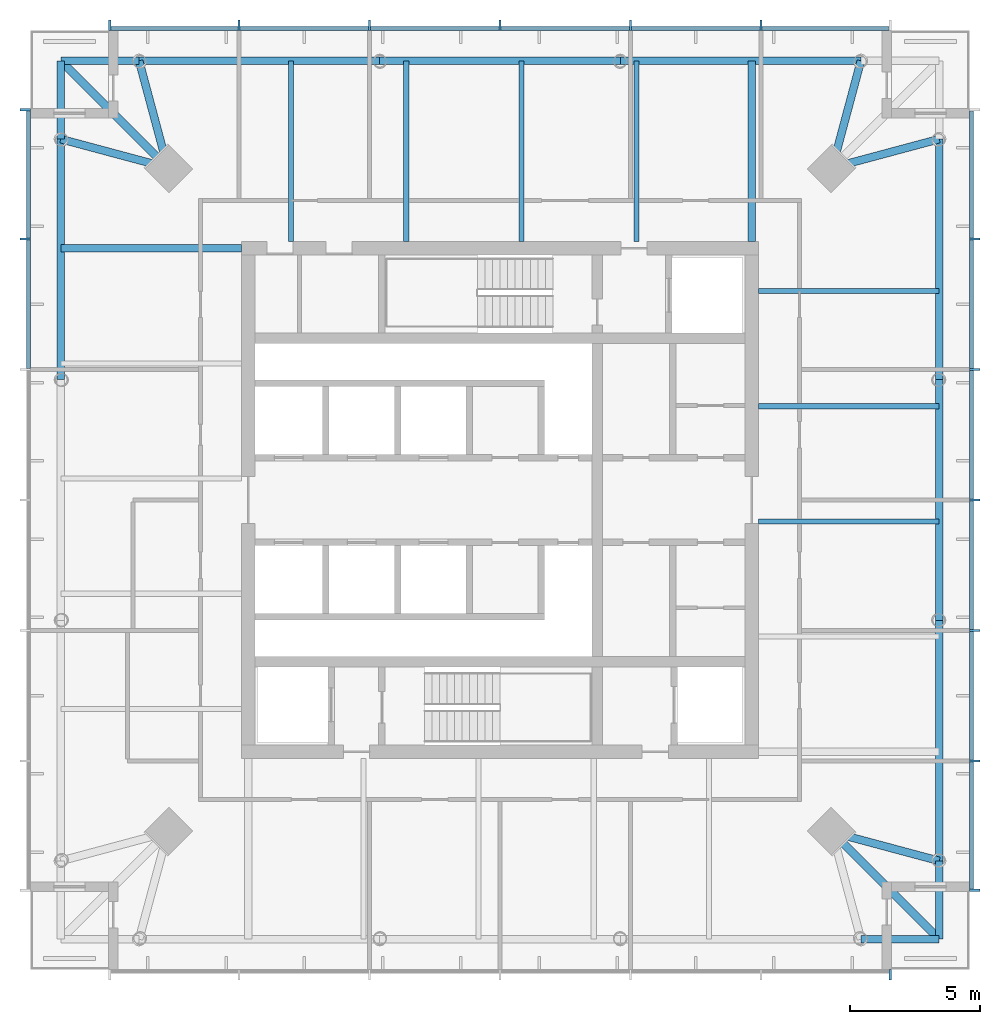
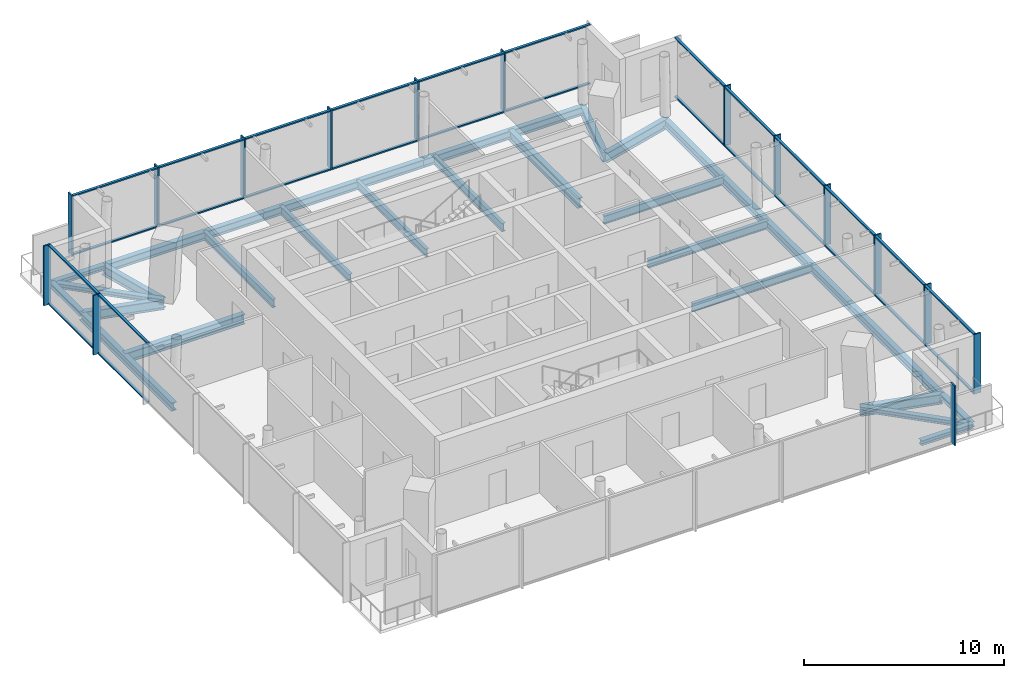
# One storey, part 2 of 7: 43 members, 27 beams, 4 elements without a shape of their own.
"""IFC4 building model written with IfcOpenShell, lengths in metres."""

from ifc_helpers import new_model, si_unit, direction, frame, origin, origin_2d, place, context, subcontext, project, spatial, rectangle, i_section, extrude, material, material_profile, profile_set, type_object, element, aggregate, save


model = new_model("IFC4")

# Units and contexts
model_context = context("Model", 3, precision=1e-05, world=origin(), true_north=direction((0.0, 1.0)))
body_context = subcontext(model_context, "Body", "Model", "MODEL_VIEW")
ifc_project = project(units=[si_unit("LENGTHUNIT", "METRE"), si_unit("AREAUNIT", "SQUARE_METRE"), si_unit("VOLUMEUNIT", "CUBIC_METRE"), si_unit("PLANEANGLEUNIT", "RADIAN"), si_unit("MASSUNIT", "GRAM", prefix="KILO")], contexts=[model_context])

# Site, building, storey
site_placement = place(None, origin())
site = spatial("IfcSite", under=ifc_project, at=site_placement, CompositionType="ELEMENT")
building_placement = place(site_placement, origin())
building = spatial("IfcBuilding", under=site, at=building_placement, Name="Ostroluk Exchange", CompositionType="ELEMENT")
storey_placement = place(building_placement, frame((0.0, 0.0, 245.199951171875)))
storey = spatial("IfcBuildingStorey", under=building, at=storey_placement, Name="L63", CompositionType="ELEMENT", Elevation=245.199951171875)

# Beams
ifc_material_1 = material(Name="Steel S355", Category="steel")
ifc_material_profile_1 = material_profile(ifc_material_1, i_section(OverallWidth=0.300048828125, OverallDepth=0.300048828125, WebThickness=0.010986328125, FlangeThickness=0.01904296875, FilletRadius=0.027099609375, at=origin_2d()), Name="HEB 300")
ifc_profile_set_1 = profile_set([ifc_material_profile_1], Name="Steel S355")
beam_type_1 = type_object("IfcBeamType", Name="Balcony beam HEB 300", PredefinedType="BEAM", material=ifc_profile_set_1)
for number, where, z_axis, x_axis, name in (
    (1, (31.164306640625, 62.835693359375, -0.329833984375), (-1.0, 0.0, 0.0), (0.0, -1.0, 0.0), "T1 north balcony beam a"),
    (2, (28.164306640625, 59.835693359375, -0.329833984375), (0.0, 1.0, 0.0), (-1.0, 0.0, 0.0), "T1 north balcony beam b"),
):
    element("IfcBeam", number, at=place(storey_placement, frame(where, z_axis=z_axis, x_axis=x_axis)), inside=storey, type_object=beam_type_1, Name=name, PredefinedType="BEAM", context=body_context, shape_type="SweptSolid", body=[
        extrude(i_section(OverallWidth=0.300048828125, OverallDepth=0.300048828125, WebThickness=0.010986328125, FlangeThickness=0.01904296875, FilletRadius=0.027099609375, at=origin_2d()), origin(), (0.0, 0.0, 1.0), 3.0),
    ])
beam_1_placement = place(storey_placement, frame((32.264404296875, 58.735595703125, -0.329833984375), z_axis=(-0.707106781187, 0.707106781187, 0.0), x_axis=(-0.707106781187, -0.707106781187, 0.0)))
element("IfcBeam", 3, at=beam_1_placement, inside=storey, type_object=beam_type_1, Name="T1 north balcony beam c", PredefinedType="BEAM", context=body_context, shape_type="SweptSolid", body=[
    extrude(i_section(OverallWidth=0.300048828125, OverallDepth=0.300048828125, WebThickness=0.010986328125, FlangeThickness=0.01904296875, FilletRadius=0.027099609375, at=origin_2d()), origin(), (0.0, 0.0, 1.0), 5.79833984375),
])
for number, where, z_axis, x_axis, name in (
    (4, (58.835693359375, 29.164306640625, -0.329833984375), (1.0, 0.0, 0.0), (0.0, 1.0, 0.0), "T1 south balcony beam a"),
    (5, (61.835693359375, 32.164306640625, -0.329833984375), (0.0, -1.0, 0.0), (1.0, 0.0, 0.0), "T1 south balcony beam b"),
):
    element("IfcBeam", number, at=place(storey_placement, frame(where, z_axis=z_axis, x_axis=x_axis)), inside=storey, type_object=beam_type_1, Name=name, PredefinedType="BEAM", context=body_context, shape_type="SweptSolid", body=[
        extrude(i_section(OverallWidth=0.300048828125, OverallDepth=0.300048828125, WebThickness=0.010986328125, FlangeThickness=0.01904296875, FilletRadius=0.027099609375, at=origin_2d()), origin(), (0.0, 0.0, 1.0), 3.0),
    ])
beam_2_placement = place(storey_placement, frame((57.735595703125, 33.264404296875, -0.329833984375), z_axis=(0.707106781187, -0.707106781187, 0.0), x_axis=(0.707106781187, 0.707106781187, 0.0)))
element("IfcBeam", 6, at=beam_2_placement, inside=storey, type_object=beam_type_1, Name="T1 south balcony beam c", PredefinedType="BEAM", context=body_context, shape_type="SweptSolid", body=[
    extrude(i_section(OverallWidth=0.300048828125, OverallDepth=0.300048828125, WebThickness=0.010986328125, FlangeThickness=0.01904296875, FilletRadius=0.027099609375, at=origin_2d()), origin(), (0.0, 0.0, 1.0), 5.79833984375),
])
ifc_material_2 = material(Name="Steel S355", Category="steel")
ifc_material_profile_2 = material_profile(ifc_material_2, i_section(OverallWidth=0.300048828125, OverallDepth=0.60009765625, WebThickness=0.015380859375, FlangeThickness=0.030029296875, FilletRadius=0.027099609375, at=origin_2d()), Name="HEB 600")
ifc_profile_set_2 = profile_set([ifc_material_profile_2], Name="Steel S355")
beam_type_2 = type_object("IfcBeamType", Name="Corner edge beam HEB 600", PredefinedType="SPANDREL", material=ifc_profile_set_2)
for number, where, z_axis, x_axis, name in (
    (7, (57.735595703125, 58.735595703125, -0.47998046875), (0.965838624319, 0.259144268261, 0.0), (-0.259144268261, 0.965838624319, 0.0), "T1 east corner edge beam a"),
    (8, (57.735595703125, 58.735595703125, -0.47998046875), (0.259144268261, 0.965838624319, 0.0), (-0.965838624319, 0.259144268261, 0.0), "T1 east corner edge beam b"),
    (9, (32.264404296875, 58.735595703125, -0.47998046875), (-0.259144268261, 0.965838624319, 0.0), (-0.965838624319, -0.259144268261, 0.0), "T1 north corner edge beam a"),
    (10, (32.264404296875, 58.735595703125, -0.47998046875), (-0.965838624319, 0.259144268261, 0.0), (-0.259144268261, -0.965838624319, 0.0), "T1 north corner edge beam b"),
    (11, (57.735595703125, 33.264404296875, -0.47998046875), (0.965838624319, -0.259144268261, 0.0), (0.259144268261, 0.965838624319, 0.0), "T1 south corner edge beam b"),
):
    element("IfcBeam", number, at=place(storey_placement, frame(where, z_axis=z_axis, x_axis=x_axis)), inside=storey, type_object=beam_type_2, Name=name, PredefinedType="SPANDREL", context=body_context, shape_type="SweptSolid", body=[
        extrude(i_section(OverallWidth=0.300048828125, OverallDepth=0.60009765625, WebThickness=0.015380859375, FlangeThickness=0.030029296875, FilletRadius=0.027099609375, at=origin_2d()), origin(), (0.0, 0.0, 1.0), 4.2451171875),
    ])
ifc_material_3 = material(Name="Steel S355", Category="steel")
ifc_material_profile_3 = material_profile(ifc_material_3, i_section(OverallWidth=0.199951171875, OverallDepth=0.5, WebThickness=0.01025390625, FlangeThickness=0.01611328125, FilletRadius=0.02099609375, at=origin_2d()), Name="IPE 500")
ifc_profile_set_3 = profile_set([ifc_material_profile_3], Name="Steel S355")
beam_type_3 = type_object("IfcBeamType", Name="Floor beam IPE 500", PredefinedType="BEAM", material=ifc_profile_set_3)
for number, where, z_axis, x_axis, name in (
    (12, (54.89990234375, 45.178466796875, -0.429931640625), (1.0, 0.0, 0.0), (0.0, 1.0, 0.0), "T1 east floor beam 2"),
    (13, (54.89990234375, 49.5927734375, -0.429931640625), (1.0, 0.0, 0.0), (0.0, 1.0, 0.0), "T1 east floor beam 3"),
    (14, (54.89990234375, 54.007080078125, -0.429931640625), (1.0, 0.0, 0.0), (0.0, 1.0, 0.0), "T1 east floor beam 4"),
    (15, (50.235595703125, 55.89990234375, -0.429931640625), (0.0, 1.0, 0.0), (-1.0, 0.0, 0.0), "T1 north floor beam 1"),
    (16, (45.821533203125, 55.89990234375, -0.429931640625), (0.0, 1.0, 0.0), (-1.0, 0.0, 0.0), "T1 north floor beam 2"),
    (17, (41.4072265625, 55.89990234375, -0.429931640625), (0.0, 1.0, 0.0), (-1.0, 0.0, 0.0), "T1 north floor beam 3"),
    (18, (36.992919921875, 55.89990234375, -0.429931640625), (0.0, 1.0, 0.0), (-1.0, 0.0, 0.0), "T1 north floor beam 4"),
):
    element("IfcBeam", number, at=place(storey_placement, frame(where, z_axis=z_axis, x_axis=x_axis)), inside=storey, type_object=beam_type_3, Name=name, PredefinedType="BEAM", context=body_context, shape_type="SweptSolid", body=[
        extrude(i_section(OverallWidth=0.199951171875, OverallDepth=0.5, WebThickness=0.01025390625, FlangeThickness=0.01611328125, FilletRadius=0.02099609375, at=origin_2d()), origin(), (0.0, 0.0, 1.0), 6.935791015625),
    ])
ifc_material_4 = material(Name="Steel S355", Category="steel")
ifc_material_profile_4 = material_profile(ifc_material_4, i_section(OverallWidth=0.300048828125, OverallDepth=0.60009765625, WebThickness=0.015380859375, FlangeThickness=0.030029296875, FilletRadius=0.027099609375, at=origin_2d()), Name="HEB 600")
ifc_profile_set_4 = profile_set([ifc_material_profile_4], Name="Steel S355")
beam_type_4 = type_object("IfcBeamType", Name="Girder HEB 600", PredefinedType="BEAM", material=ifc_profile_set_4)
for number, where, z_axis, x_axis, name in (
    (19, (54.64990234375, 55.89990234375, -0.47998046875), (0.0, 1.0, 0.0), (-1.0, 0.0, 0.0), "T1 east girder"),
    (20, (35.10009765625, 55.64990234375, -0.47998046875), (-1.0, 0.0, 0.0), (0.0, -1.0, 0.0), "T1 north girder"),
):
    element("IfcBeam", number, at=place(storey_placement, frame(where, z_axis=z_axis, x_axis=x_axis)), inside=storey, type_object=beam_type_4, Name=name, PredefinedType="BEAM", context=body_context, shape_type="SweptSolid", body=[
        extrude(i_section(OverallWidth=0.300048828125, OverallDepth=0.60009765625, WebThickness=0.015380859375, FlangeThickness=0.030029296875, FilletRadius=0.027099609375, at=origin_2d()), origin(), (0.0, 0.0, 1.0), 6.935791015625),
    ])
ifc_material_5 = material(Name="Steel S355", Category="steel")
ifc_material_profile_5 = material_profile(ifc_material_5, i_section(OverallWidth=0.300048828125, OverallDepth=0.5, WebThickness=0.014404296875, FlangeThickness=0.028076171875, FilletRadius=0.027099609375, at=origin_2d()), Name="HEB 500")
ifc_profile_set_5 = profile_set([ifc_material_profile_5], Name="Steel S355")
beam_type_5 = type_object("IfcBeamType", Name="Moment-connected edge beam HEB 500", PredefinedType="SPANDREL", material=ifc_profile_set_5)
beam_3_placement = place(storey_placement, frame((61.835693359375, 32.164306640625, -0.429931640625), z_axis=(0.0, 1.0, 0.0), x_axis=(-1.0, 0.0, 0.0)))
element("IfcBeam", 21, at=beam_3_placement, inside=storey, type_object=beam_type_5, Name="T1 east edge beam 1", PredefinedType="SPANDREL", context=body_context, shape_type="SweptSolid", body=[
    extrude(i_section(OverallWidth=0.300048828125, OverallDepth=0.5, WebThickness=0.014404296875, FlangeThickness=0.028076171875, FilletRadius=0.027099609375, at=origin_2d()), origin(), (0.0, 0.0, 1.0), 9.223876953125),
])
beam_4_placement = place(storey_placement, frame((61.835693359375, 41.38818359375, -0.429931640625), z_axis=(0.0, 1.0, 0.0), x_axis=(-1.0, 0.0, 0.0)))
element("IfcBeam", 22, at=beam_4_placement, inside=storey, type_object=beam_type_5, Name="T1 east edge beam 2", PredefinedType="SPANDREL", context=body_context, shape_type="SweptSolid", body=[
    extrude(i_section(OverallWidth=0.300048828125, OverallDepth=0.5, WebThickness=0.014404296875, FlangeThickness=0.028076171875, FilletRadius=0.027099609375, at=origin_2d()), origin(), (0.0, 0.0, 1.0), 9.2236328125),
])
for number, where, z_axis, x_axis, name in (
    (23, (61.835693359375, 50.61181640625, -0.429931640625), (0.0, 1.0, 0.0), (-1.0, 0.0, 0.0), "T1 east edge beam 3"),
    (24, (58.835693359375, 62.835693359375, -0.429931640625), (-1.0, 0.0, 0.0), (0.0, -1.0, 0.0), "T1 north edge beam 1"),
):
    element("IfcBeam", number, at=place(storey_placement, frame(where, z_axis=z_axis, x_axis=x_axis)), inside=storey, type_object=beam_type_5, Name=name, PredefinedType="SPANDREL", context=body_context, shape_type="SweptSolid", body=[
        extrude(i_section(OverallWidth=0.300048828125, OverallDepth=0.5, WebThickness=0.014404296875, FlangeThickness=0.028076171875, FilletRadius=0.027099609375, at=origin_2d()), origin(), (0.0, 0.0, 1.0), 9.223876953125),
    ])
beam_5_placement = place(storey_placement, frame((49.61181640625, 62.835693359375, -0.429931640625), z_axis=(-1.0, 0.0, 0.0), x_axis=(0.0, -1.0, 0.0)))
element("IfcBeam", 25, at=beam_5_placement, inside=storey, type_object=beam_type_5, Name="T1 north edge beam 2", PredefinedType="SPANDREL", context=body_context, shape_type="SweptSolid", body=[
    extrude(i_section(OverallWidth=0.300048828125, OverallDepth=0.5, WebThickness=0.014404296875, FlangeThickness=0.028076171875, FilletRadius=0.027099609375, at=origin_2d()), origin(), (0.0, 0.0, 1.0), 9.2236328125),
])
for number, where, z_axis, x_axis, name in (
    (26, (40.38818359375, 62.835693359375, -0.429931640625), (-1.0, 0.0, 0.0), (0.0, -1.0, 0.0), "T1 north edge beam 3"),
    (27, (28.164306640625, 59.835693359375, -0.429931640625), (0.0, -1.0, 0.0), (1.0, 0.0, 0.0), "T1 west edge beam 1"),
):
    element("IfcBeam", number, at=place(storey_placement, frame(where, z_axis=z_axis, x_axis=x_axis)), inside=storey, type_object=beam_type_5, Name=name, PredefinedType="SPANDREL", context=body_context, shape_type="SweptSolid", body=[
        extrude(i_section(OverallWidth=0.300048828125, OverallDepth=0.5, WebThickness=0.014404296875, FlangeThickness=0.028076171875, FilletRadius=0.027099609375, at=origin_2d()), origin(), (0.0, 0.0, 1.0), 9.223876953125),
    ])

# Curtain wall, members
ifc_material_6 = material(Name="Laminated clear glass", Category="glass")
curtain_wall_type = type_object("IfcCurtainWallType", Name="Office tower facade", PredefinedType="USERDEFINED", material=ifc_material_6)
curtain_wall_1_placement = place(storey_placement, origin())
curtain_wall_1 = element("IfcCurtainWall", 28, at=curtain_wall_1_placement, inside=storey, type_object=curtain_wall_type, Name="Office tower east facade L63", ObjectType="UNITISED CURTAIN WALL", PredefinedType="USERDEFINED")
ifc_material_7 = material(Name="Aluminium mullion", Category="aluminium")
ifc_material_profile_6 = material_profile(ifc_material_7, rectangle(XDim=0.14990234375, YDim=0.080078125, at=origin_2d()), Name="Sill transom 80 x 150")
ifc_profile_set_6 = profile_set([ifc_material_profile_6], Name="Aluminium mullion")
member_type_1 = type_object("IfcMemberType", Name="Sill transom 80 x 150", PredefinedType="USERDEFINED", material=ifc_profile_set_6)
member_1_placement = place(storey_placement, frame((63.074951171875, 31.080078125, 0.0400390625), z_axis=(0.0, 1.0, 0.0), x_axis=(-1.0, 0.0, 0.0)))
member_1 = element("IfcMember", 29, at=member_1_placement, type_object=member_type_1, Name="CW-O1 transom 1.1", ObjectType="TRANSOM", PredefinedType="USERDEFINED", context=body_context, shape_type="SweptSolid", body=[
    extrude(rectangle(XDim=0.14990234375, YDim=0.080078125, at=origin_2d()), origin(), (0.0, 0.0, 1.0), 4.8798828125),
])
member_2_placement = place(storey_placement, frame((63.074951171875, 31.080078125, 3.610107421875), z_axis=(0.0, 1.0, 0.0), x_axis=(-1.0, 0.0, 0.0)))
member_2 = element("IfcMember", 30, at=member_2_placement, type_object=member_type_1, Name="CW-O1 transom 1.2", ObjectType="TRANSOM", PredefinedType="USERDEFINED", context=body_context, shape_type="SweptSolid", body=[
    extrude(rectangle(XDim=0.14990234375, YDim=0.080078125, at=origin_2d()), origin(), (0.0, 0.0, 1.0), 4.8798828125),
])
member_3_placement = place(storey_placement, frame((63.074951171875, 36.0400390625, 0.0400390625), z_axis=(0.0, 1.0, 0.0), x_axis=(-1.0, 0.0, 0.0)))
member_3 = element("IfcMember", 31, at=member_3_placement, type_object=member_type_1, Name="CW-O1 transom 2.1", ObjectType="TRANSOM", PredefinedType="USERDEFINED", context=body_context, shape_type="SweptSolid", body=[
    extrude(rectangle(XDim=0.14990234375, YDim=0.080078125, at=origin_2d()), origin(), (0.0, 0.0, 1.0), 4.919921875),
])
member_4_placement = place(storey_placement, frame((63.074951171875, 36.0400390625, 3.610107421875), z_axis=(0.0, 1.0, 0.0), x_axis=(-1.0, 0.0, 0.0)))
member_4 = element("IfcMember", 32, at=member_4_placement, type_object=member_type_1, Name="CW-O1 transom 2.2", ObjectType="TRANSOM", PredefinedType="USERDEFINED", context=body_context, shape_type="SweptSolid", body=[
    extrude(rectangle(XDim=0.14990234375, YDim=0.080078125, at=origin_2d()), origin(), (0.0, 0.0, 1.0), 4.919921875),
])
member_5_placement = place(storey_placement, frame((63.074951171875, 41.0400390625, 0.0400390625), z_axis=(0.0, 1.0, 0.0), x_axis=(-1.0, 0.0, 0.0)))
member_5 = element("IfcMember", 33, at=member_5_placement, type_object=member_type_1, Name="CW-O1 transom 3.1", ObjectType="TRANSOM", PredefinedType="USERDEFINED", context=body_context, shape_type="SweptSolid", body=[
    extrude(rectangle(XDim=0.14990234375, YDim=0.080078125, at=origin_2d()), origin(), (0.0, 0.0, 1.0), 4.919921875),
])
member_6_placement = place(storey_placement, frame((63.074951171875, 41.0400390625, 3.610107421875), z_axis=(0.0, 1.0, 0.0), x_axis=(-1.0, 0.0, 0.0)))
member_6 = element("IfcMember", 34, at=member_6_placement, type_object=member_type_1, Name="CW-O1 transom 3.2", ObjectType="TRANSOM", PredefinedType="USERDEFINED", context=body_context, shape_type="SweptSolid", body=[
    extrude(rectangle(XDim=0.14990234375, YDim=0.080078125, at=origin_2d()), origin(), (0.0, 0.0, 1.0), 4.919921875),
])
member_7_placement = place(storey_placement, frame((63.074951171875, 46.0400390625, 0.0400390625), z_axis=(0.0, 1.0, 0.0), x_axis=(-1.0, 0.0, 0.0)))
member_7 = element("IfcMember", 35, at=member_7_placement, type_object=member_type_1, Name="CW-O1 transom 4.1", ObjectType="TRANSOM", PredefinedType="USERDEFINED", context=body_context, shape_type="SweptSolid", body=[
    extrude(rectangle(XDim=0.14990234375, YDim=0.080078125, at=origin_2d()), origin(), (0.0, 0.0, 1.0), 4.919921875),
])
member_8_placement = place(storey_placement, frame((63.074951171875, 46.0400390625, 3.610107421875), z_axis=(0.0, 1.0, 0.0), x_axis=(-1.0, 0.0, 0.0)))
member_8 = element("IfcMember", 36, at=member_8_placement, type_object=member_type_1, Name="CW-O1 transom 4.2", ObjectType="TRANSOM", PredefinedType="USERDEFINED", context=body_context, shape_type="SweptSolid", body=[
    extrude(rectangle(XDim=0.14990234375, YDim=0.080078125, at=origin_2d()), origin(), (0.0, 0.0, 1.0), 4.919921875),
])
member_9_placement = place(storey_placement, frame((63.074951171875, 51.0400390625, 0.0400390625), z_axis=(0.0, 1.0, 0.0), x_axis=(-1.0, 0.0, 0.0)))
member_9 = element("IfcMember", 37, at=member_9_placement, type_object=member_type_1, Name="CW-O1 transom 5.1", ObjectType="TRANSOM", PredefinedType="USERDEFINED", context=body_context, shape_type="SweptSolid", body=[
    extrude(rectangle(XDim=0.14990234375, YDim=0.080078125, at=origin_2d()), origin(), (0.0, 0.0, 1.0), 4.919921875),
])
member_10_placement = place(storey_placement, frame((63.074951171875, 51.0400390625, 3.610107421875), z_axis=(0.0, 1.0, 0.0), x_axis=(-1.0, 0.0, 0.0)))
member_10 = element("IfcMember", 38, at=member_10_placement, type_object=member_type_1, Name="CW-O1 transom 5.2", ObjectType="TRANSOM", PredefinedType="USERDEFINED", context=body_context, shape_type="SweptSolid", body=[
    extrude(rectangle(XDim=0.14990234375, YDim=0.080078125, at=origin_2d()), origin(), (0.0, 0.0, 1.0), 4.919921875),
])
member_11_placement = place(storey_placement, frame((63.074951171875, 56.0400390625, 0.0400390625), z_axis=(0.0, 1.0, 0.0), x_axis=(-1.0, 0.0, 0.0)))
member_11 = element("IfcMember", 39, at=member_11_placement, type_object=member_type_1, Name="CW-O1 transom 6.1", ObjectType="TRANSOM", PredefinedType="USERDEFINED", context=body_context, shape_type="SweptSolid", body=[
    extrude(rectangle(XDim=0.14990234375, YDim=0.080078125, at=origin_2d()), origin(), (0.0, 0.0, 1.0), 4.8798828125),
])
member_12_placement = place(storey_placement, frame((63.074951171875, 56.0400390625, 3.610107421875), z_axis=(0.0, 1.0, 0.0), x_axis=(-1.0, 0.0, 0.0)))
member_12 = element("IfcMember", 40, at=member_12_placement, type_object=member_type_1, Name="CW-O1 transom 6.2", ObjectType="TRANSOM", PredefinedType="USERDEFINED", context=body_context, shape_type="SweptSolid", body=[
    extrude(rectangle(XDim=0.14990234375, YDim=0.080078125, at=origin_2d()), origin(), (0.0, 0.0, 1.0), 4.8798828125),
])

curtain_wall_2_placement = place(storey_placement, origin())
curtain_wall_2 = element("IfcCurtainWall", 41, at=curtain_wall_2_placement, inside=storey, type_object=curtain_wall_type, Name="Office tower north facade L63", ObjectType="UNITISED CURTAIN WALL", PredefinedType="USERDEFINED")
member_13_placement = place(storey_placement, frame((59.919921875, 64.074951171875, 0.0400390625), z_axis=(-1.0, 0.0, 0.0), x_axis=(0.0, -1.0, 0.0)))
member_13 = element("IfcMember", 42, at=member_13_placement, type_object=member_type_1, Name="CW-O1 transom 1.1", ObjectType="TRANSOM", PredefinedType="USERDEFINED", context=body_context, shape_type="SweptSolid", body=[
    extrude(rectangle(XDim=0.14990234375, YDim=0.080078125, at=origin_2d()), origin(), (0.0, 0.0, 1.0), 4.8798828125),
])
member_14_placement = place(storey_placement, frame((59.919921875, 64.074951171875, 3.610107421875), z_axis=(-1.0, 0.0, 0.0), x_axis=(0.0, -1.0, 0.0)))
member_14 = element("IfcMember", 43, at=member_14_placement, type_object=member_type_1, Name="CW-O1 transom 1.2", ObjectType="TRANSOM", PredefinedType="USERDEFINED", context=body_context, shape_type="SweptSolid", body=[
    extrude(rectangle(XDim=0.14990234375, YDim=0.080078125, at=origin_2d()), origin(), (0.0, 0.0, 1.0), 4.8798828125),
])
member_15_placement = place(storey_placement, frame((54.9599609375, 64.074951171875, 0.0400390625), z_axis=(-1.0, 0.0, 0.0), x_axis=(0.0, -1.0, 0.0)))
member_15 = element("IfcMember", 44, at=member_15_placement, type_object=member_type_1, Name="CW-O1 transom 2.1", ObjectType="TRANSOM", PredefinedType="USERDEFINED", context=body_context, shape_type="SweptSolid", body=[
    extrude(rectangle(XDim=0.14990234375, YDim=0.080078125, at=origin_2d()), origin(), (0.0, 0.0, 1.0), 4.919921875),
])
member_16_placement = place(storey_placement, frame((54.9599609375, 64.074951171875, 3.610107421875), z_axis=(-1.0, 0.0, 0.0), x_axis=(0.0, -1.0, 0.0)))
member_16 = element("IfcMember", 45, at=member_16_placement, type_object=member_type_1, Name="CW-O1 transom 2.2", ObjectType="TRANSOM", PredefinedType="USERDEFINED", context=body_context, shape_type="SweptSolid", body=[
    extrude(rectangle(XDim=0.14990234375, YDim=0.080078125, at=origin_2d()), origin(), (0.0, 0.0, 1.0), 4.919921875),
])
member_17_placement = place(storey_placement, frame((49.9599609375, 64.074951171875, 0.0400390625), z_axis=(-1.0, 0.0, 0.0), x_axis=(0.0, -1.0, 0.0)))
member_17 = element("IfcMember", 46, at=member_17_placement, type_object=member_type_1, Name="CW-O1 transom 3.1", ObjectType="TRANSOM", PredefinedType="USERDEFINED", context=body_context, shape_type="SweptSolid", body=[
    extrude(rectangle(XDim=0.14990234375, YDim=0.080078125, at=origin_2d()), origin(), (0.0, 0.0, 1.0), 4.919921875),
])
member_18_placement = place(storey_placement, frame((49.9599609375, 64.074951171875, 3.610107421875), z_axis=(-1.0, 0.0, 0.0), x_axis=(0.0, -1.0, 0.0)))
member_18 = element("IfcMember", 47, at=member_18_placement, type_object=member_type_1, Name="CW-O1 transom 3.2", ObjectType="TRANSOM", PredefinedType="USERDEFINED", context=body_context, shape_type="SweptSolid", body=[
    extrude(rectangle(XDim=0.14990234375, YDim=0.080078125, at=origin_2d()), origin(), (0.0, 0.0, 1.0), 4.919921875),
])
member_19_placement = place(storey_placement, frame((44.9599609375, 64.074951171875, 0.0400390625), z_axis=(-1.0, 0.0, 0.0), x_axis=(0.0, -1.0, 0.0)))
member_19 = element("IfcMember", 48, at=member_19_placement, type_object=member_type_1, Name="CW-O1 transom 4.1", ObjectType="TRANSOM", PredefinedType="USERDEFINED", context=body_context, shape_type="SweptSolid", body=[
    extrude(rectangle(XDim=0.14990234375, YDim=0.080078125, at=origin_2d()), origin(), (0.0, 0.0, 1.0), 4.919921875),
])
member_20_placement = place(storey_placement, frame((44.9599609375, 64.074951171875, 3.610107421875), z_axis=(-1.0, 0.0, 0.0), x_axis=(0.0, -1.0, 0.0)))
member_20 = element("IfcMember", 49, at=member_20_placement, type_object=member_type_1, Name="CW-O1 transom 4.2", ObjectType="TRANSOM", PredefinedType="USERDEFINED", context=body_context, shape_type="SweptSolid", body=[
    extrude(rectangle(XDim=0.14990234375, YDim=0.080078125, at=origin_2d()), origin(), (0.0, 0.0, 1.0), 4.919921875),
])
member_21_placement = place(storey_placement, frame((39.9599609375, 64.074951171875, 0.0400390625), z_axis=(-1.0, 0.0, 0.0), x_axis=(0.0, -1.0, 0.0)))
member_21 = element("IfcMember", 50, at=member_21_placement, type_object=member_type_1, Name="CW-O1 transom 5.1", ObjectType="TRANSOM", PredefinedType="USERDEFINED", context=body_context, shape_type="SweptSolid", body=[
    extrude(rectangle(XDim=0.14990234375, YDim=0.080078125, at=origin_2d()), origin(), (0.0, 0.0, 1.0), 4.919921875),
])
member_22_placement = place(storey_placement, frame((39.9599609375, 64.074951171875, 3.610107421875), z_axis=(-1.0, 0.0, 0.0), x_axis=(0.0, -1.0, 0.0)))
member_22 = element("IfcMember", 51, at=member_22_placement, type_object=member_type_1, Name="CW-O1 transom 5.2", ObjectType="TRANSOM", PredefinedType="USERDEFINED", context=body_context, shape_type="SweptSolid", body=[
    extrude(rectangle(XDim=0.14990234375, YDim=0.080078125, at=origin_2d()), origin(), (0.0, 0.0, 1.0), 4.919921875),
])
member_23_placement = place(storey_placement, frame((34.9599609375, 64.074951171875, 0.0400390625), z_axis=(-1.0, 0.0, 0.0), x_axis=(0.0, -1.0, 0.0)))
member_23 = element("IfcMember", 52, at=member_23_placement, type_object=member_type_1, Name="CW-O1 transom 6.1", ObjectType="TRANSOM", PredefinedType="USERDEFINED", context=body_context, shape_type="SweptSolid", body=[
    extrude(rectangle(XDim=0.14990234375, YDim=0.080078125, at=origin_2d()), origin(), (0.0, 0.0, 1.0), 4.8798828125),
])
member_24_placement = place(storey_placement, frame((34.9599609375, 64.074951171875, 3.610107421875), z_axis=(-1.0, 0.0, 0.0), x_axis=(0.0, -1.0, 0.0)))
member_24 = element("IfcMember", 53, at=member_24_placement, type_object=member_type_1, Name="CW-O1 transom 6.2", ObjectType="TRANSOM", PredefinedType="USERDEFINED", context=body_context, shape_type="SweptSolid", body=[
    extrude(rectangle(XDim=0.14990234375, YDim=0.080078125, at=origin_2d()), origin(), (0.0, 0.0, 1.0), 4.8798828125),
])

curtain_wall_3_placement = place(storey_placement, origin())
curtain_wall_3 = element("IfcCurtainWall", 54, at=curtain_wall_3_placement, inside=storey, type_object=curtain_wall_type, Name="Office tower west facade L63", ObjectType="UNITISED CURTAIN WALL", PredefinedType="USERDEFINED")
member_25_placement = place(storey_placement, frame((26.925048828125, 60.919921875, 0.0400390625), z_axis=(0.0, -1.0, 0.0), x_axis=(1.0, 0.0, 0.0)))
member_25 = element("IfcMember", 55, at=member_25_placement, type_object=member_type_1, Name="CW-O1 transom 1.1", ObjectType="TRANSOM", PredefinedType="USERDEFINED", context=body_context, shape_type="SweptSolid", body=[
    extrude(rectangle(XDim=0.14990234375, YDim=0.080078125, at=origin_2d()), origin(), (0.0, 0.0, 1.0), 4.8798828125),
])
member_26_placement = place(storey_placement, frame((26.925048828125, 60.919921875, 3.610107421875), z_axis=(0.0, -1.0, 0.0), x_axis=(1.0, 0.0, 0.0)))
member_26 = element("IfcMember", 56, at=member_26_placement, type_object=member_type_1, Name="CW-O1 transom 1.2", ObjectType="TRANSOM", PredefinedType="USERDEFINED", context=body_context, shape_type="SweptSolid", body=[
    extrude(rectangle(XDim=0.14990234375, YDim=0.080078125, at=origin_2d()), origin(), (0.0, 0.0, 1.0), 4.8798828125),
])
member_27_placement = place(storey_placement, frame((26.925048828125, 55.9599609375, 0.0400390625), z_axis=(0.0, -1.0, 0.0), x_axis=(1.0, 0.0, 0.0)))
member_27 = element("IfcMember", 57, at=member_27_placement, type_object=member_type_1, Name="CW-O1 transom 2.1", ObjectType="TRANSOM", PredefinedType="USERDEFINED", context=body_context, shape_type="SweptSolid", body=[
    extrude(rectangle(XDim=0.14990234375, YDim=0.080078125, at=origin_2d()), origin(), (0.0, 0.0, 1.0), 4.919921875),
])
member_28_placement = place(storey_placement, frame((26.925048828125, 55.9599609375, 3.610107421875), z_axis=(0.0, -1.0, 0.0), x_axis=(1.0, 0.0, 0.0)))
member_28 = element("IfcMember", 58, at=member_28_placement, type_object=member_type_1, Name="CW-O1 transom 2.2", ObjectType="TRANSOM", PredefinedType="USERDEFINED", context=body_context, shape_type="SweptSolid", body=[
    extrude(rectangle(XDim=0.14990234375, YDim=0.080078125, at=origin_2d()), origin(), (0.0, 0.0, 1.0), 4.919921875),
])

# Curtain wall, member
curtain_wall_4_placement = place(storey_placement, origin())
curtain_wall_4 = element("IfcCurtainWall", 59, at=curtain_wall_4_placement, inside=storey, type_object=curtain_wall_type, Name="Office tower south facade L63", ObjectType="UNITISED CURTAIN WALL", PredefinedType="USERDEFINED")
ifc_material_8 = material(Name="Aluminium mullion with limestone facing", Category="masonry")
ifc_material_profile_7 = material_profile(ifc_material_8, rectangle(XDim=0.39990234375, YDim=0.080078125, at=origin_2d()), Name="Tracery mullion 80 x 400")
ifc_profile_set_7 = profile_set([ifc_material_profile_7], Name="Aluminium mullion with limestone facing")
member_type_2 = type_object("IfcMemberType", Name="Tracery mullion 80 x 400", PredefinedType="MULLION", material=ifc_profile_set_7)
member_29_placement = place(storey_placement, frame((59.9599609375, 27.800048828125, 0.0), z_axis=(0.0, 0.0, 1.0), x_axis=(0.0, 1.0, 0.0)))
member_29 = element("IfcMember", 60, at=member_29_placement, type_object=member_type_2, Name="CW-O1 mullion 7", PredefinedType="MULLION", context=body_context, shape_type="SweptSolid", body=[
    extrude(rectangle(XDim=0.39990234375, YDim=0.080078125, at=origin_2d()), origin(), (0.0, 0.0, 1.0), 3.650146484375),
])
aggregate(curtain_wall_4, [member_29])

# Member
member_30_placement = place(storey_placement, frame((63.199951171875, 31.0400390625, 0.0), z_axis=(0.0, 0.0, 1.0), x_axis=(-1.0, 0.0, 0.0)))
member_30 = element("IfcMember", 61, at=member_30_placement, type_object=member_type_2, Name="CW-O1 mullion 1", PredefinedType="MULLION", context=body_context, shape_type="SweptSolid", body=[
    extrude(rectangle(XDim=0.39990234375, YDim=0.080078125, at=origin_2d()), origin(), (0.0, 0.0, 1.0), 3.650146484375),
])

member_31_placement = place(storey_placement, frame((63.199951171875, 36.0, 0.0), z_axis=(0.0, 0.0, 1.0), x_axis=(-1.0, 0.0, 0.0)))
member_31 = element("IfcMember", 62, at=member_31_placement, type_object=member_type_2, Name="CW-O1 mullion 2", PredefinedType="MULLION", context=body_context, shape_type="SweptSolid", body=[
    extrude(rectangle(XDim=0.39990234375, YDim=0.080078125, at=origin_2d()), origin(), (0.0, 0.0, 1.0), 3.650146484375),
])

member_32_placement = place(storey_placement, frame((63.199951171875, 41.0, 0.0), z_axis=(0.0, 0.0, 1.0), x_axis=(-1.0, 0.0, 0.0)))
member_32 = element("IfcMember", 63, at=member_32_placement, type_object=member_type_2, Name="CW-O1 mullion 3", PredefinedType="MULLION", context=body_context, shape_type="SweptSolid", body=[
    extrude(rectangle(XDim=0.39990234375, YDim=0.080078125, at=origin_2d()), origin(), (0.0, 0.0, 1.0), 3.650146484375),
])

member_33_placement = place(storey_placement, frame((63.199951171875, 46.0, 0.0), z_axis=(0.0, 0.0, 1.0), x_axis=(-1.0, 0.0, 0.0)))
member_33 = element("IfcMember", 64, at=member_33_placement, type_object=member_type_2, Name="CW-O1 mullion 4", PredefinedType="MULLION", context=body_context, shape_type="SweptSolid", body=[
    extrude(rectangle(XDim=0.39990234375, YDim=0.080078125, at=origin_2d()), origin(), (0.0, 0.0, 1.0), 3.650146484375),
])

member_34_placement = place(storey_placement, frame((63.199951171875, 51.0, 0.0), z_axis=(0.0, 0.0, 1.0), x_axis=(-1.0, 0.0, 0.0)))
member_34 = element("IfcMember", 65, at=member_34_placement, type_object=member_type_2, Name="CW-O1 mullion 5", PredefinedType="MULLION", context=body_context, shape_type="SweptSolid", body=[
    extrude(rectangle(XDim=0.39990234375, YDim=0.080078125, at=origin_2d()), origin(), (0.0, 0.0, 1.0), 3.650146484375),
])

member_35_placement = place(storey_placement, frame((63.199951171875, 56.0, 0.0), z_axis=(0.0, 0.0, 1.0), x_axis=(-1.0, 0.0, 0.0)))
member_35 = element("IfcMember", 66, at=member_35_placement, type_object=member_type_2, Name="CW-O1 mullion 6", PredefinedType="MULLION", context=body_context, shape_type="SweptSolid", body=[
    extrude(rectangle(XDim=0.39990234375, YDim=0.080078125, at=origin_2d()), origin(), (0.0, 0.0, 1.0), 3.650146484375),
])

aggregate(curtain_wall_1, [member_30, member_31, member_32, member_33, member_34, member_35, member_1, member_2, member_3, member_4, member_5, member_6, member_7, member_8, member_9, member_10, member_11, member_12])

member_36_placement = place(storey_placement, frame((55.0, 64.199951171875, 0.0), z_axis=(0.0, 0.0, 1.0), x_axis=(0.0, -1.0, 0.0)))
member_36 = element("IfcMember", 67, at=member_36_placement, type_object=member_type_2, Name="CW-O1 mullion 2", PredefinedType="MULLION", context=body_context, shape_type="SweptSolid", body=[
    extrude(rectangle(XDim=0.39990234375, YDim=0.080078125, at=origin_2d()), origin(), (0.0, 0.0, 1.0), 3.650146484375),
])

member_37_placement = place(storey_placement, frame((50.0, 64.199951171875, 0.0), z_axis=(0.0, 0.0, 1.0), x_axis=(0.0, -1.0, 0.0)))
member_37 = element("IfcMember", 68, at=member_37_placement, type_object=member_type_2, Name="CW-O1 mullion 3", PredefinedType="MULLION", context=body_context, shape_type="SweptSolid", body=[
    extrude(rectangle(XDim=0.39990234375, YDim=0.080078125, at=origin_2d()), origin(), (0.0, 0.0, 1.0), 3.650146484375),
])

member_38_placement = place(storey_placement, frame((45.0, 64.199951171875, 0.0), z_axis=(0.0, 0.0, 1.0), x_axis=(0.0, -1.0, 0.0)))
member_38 = element("IfcMember", 69, at=member_38_placement, type_object=member_type_2, Name="CW-O1 mullion 4", PredefinedType="MULLION", context=body_context, shape_type="SweptSolid", body=[
    extrude(rectangle(XDim=0.39990234375, YDim=0.080078125, at=origin_2d()), origin(), (0.0, 0.0, 1.0), 3.650146484375),
])

member_39_placement = place(storey_placement, frame((40.0, 64.199951171875, 0.0), z_axis=(0.0, 0.0, 1.0), x_axis=(0.0, -1.0, 0.0)))
member_39 = element("IfcMember", 70, at=member_39_placement, type_object=member_type_2, Name="CW-O1 mullion 5", PredefinedType="MULLION", context=body_context, shape_type="SweptSolid", body=[
    extrude(rectangle(XDim=0.39990234375, YDim=0.080078125, at=origin_2d()), origin(), (0.0, 0.0, 1.0), 3.650146484375),
])

member_40_placement = place(storey_placement, frame((35.0, 64.199951171875, 0.0), z_axis=(0.0, 0.0, 1.0), x_axis=(0.0, -1.0, 0.0)))
member_40 = element("IfcMember", 71, at=member_40_placement, type_object=member_type_2, Name="CW-O1 mullion 6", PredefinedType="MULLION", context=body_context, shape_type="SweptSolid", body=[
    extrude(rectangle(XDim=0.39990234375, YDim=0.080078125, at=origin_2d()), origin(), (0.0, 0.0, 1.0), 3.650146484375),
])

member_41_placement = place(storey_placement, frame((30.0400390625, 64.199951171875, 0.0), z_axis=(0.0, 0.0, 1.0), x_axis=(0.0, -1.0, 0.0)))
member_41 = element("IfcMember", 72, at=member_41_placement, type_object=member_type_2, Name="CW-O1 mullion 7", PredefinedType="MULLION", context=body_context, shape_type="SweptSolid", body=[
    extrude(rectangle(XDim=0.39990234375, YDim=0.080078125, at=origin_2d()), origin(), (0.0, 0.0, 1.0), 3.650146484375),
])

aggregate(curtain_wall_2, [member_36, member_37, member_38, member_39, member_40, member_41, member_13, member_14, member_15, member_16, member_17, member_18, member_19, member_20, member_21, member_22, member_23, member_24])

member_42_placement = place(storey_placement, frame((26.800048828125, 60.9599609375, 0.0), z_axis=(0.0, 0.0, 1.0), x_axis=(1.0, 0.0, 0.0)))
member_42 = element("IfcMember", 73, at=member_42_placement, type_object=member_type_2, Name="CW-O1 mullion 1", PredefinedType="MULLION", context=body_context, shape_type="SweptSolid", body=[
    extrude(rectangle(XDim=0.39990234375, YDim=0.080078125, at=origin_2d()), origin(), (0.0, 0.0, 1.0), 3.650146484375),
])

member_43_placement = place(storey_placement, frame((26.800048828125, 56.0, 0.0), z_axis=(0.0, 0.0, 1.0), x_axis=(1.0, 0.0, 0.0)))
member_43 = element("IfcMember", 74, at=member_43_placement, type_object=member_type_2, Name="CW-O1 mullion 2", PredefinedType="MULLION", context=body_context, shape_type="SweptSolid", body=[
    extrude(rectangle(XDim=0.39990234375, YDim=0.080078125, at=origin_2d()), origin(), (0.0, 0.0, 1.0), 3.650146484375),
])

aggregate(curtain_wall_3, [member_42, member_43, member_25, member_26, member_27, member_28])

save(model, "model.ifc")
